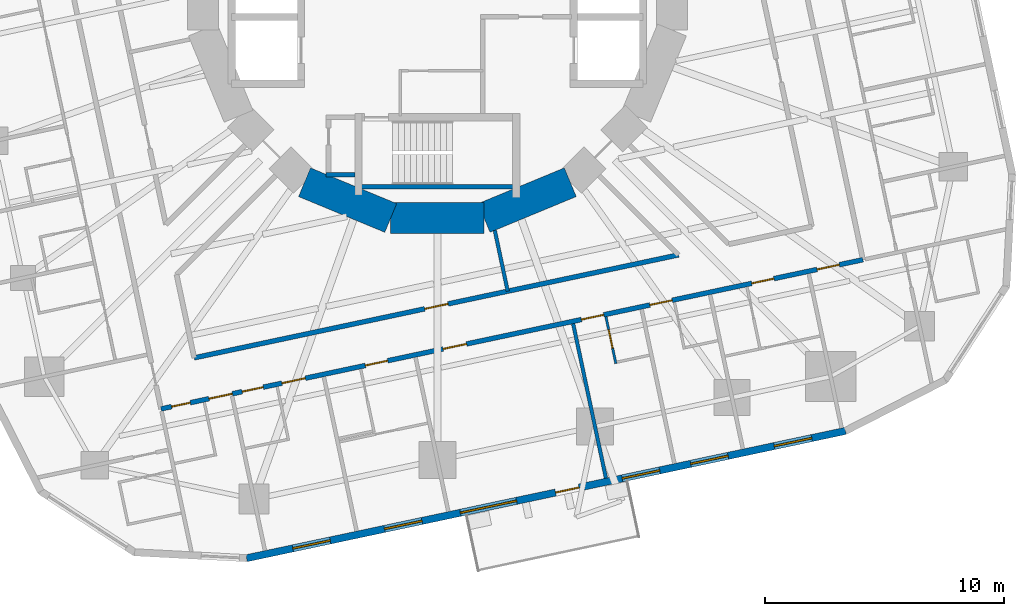
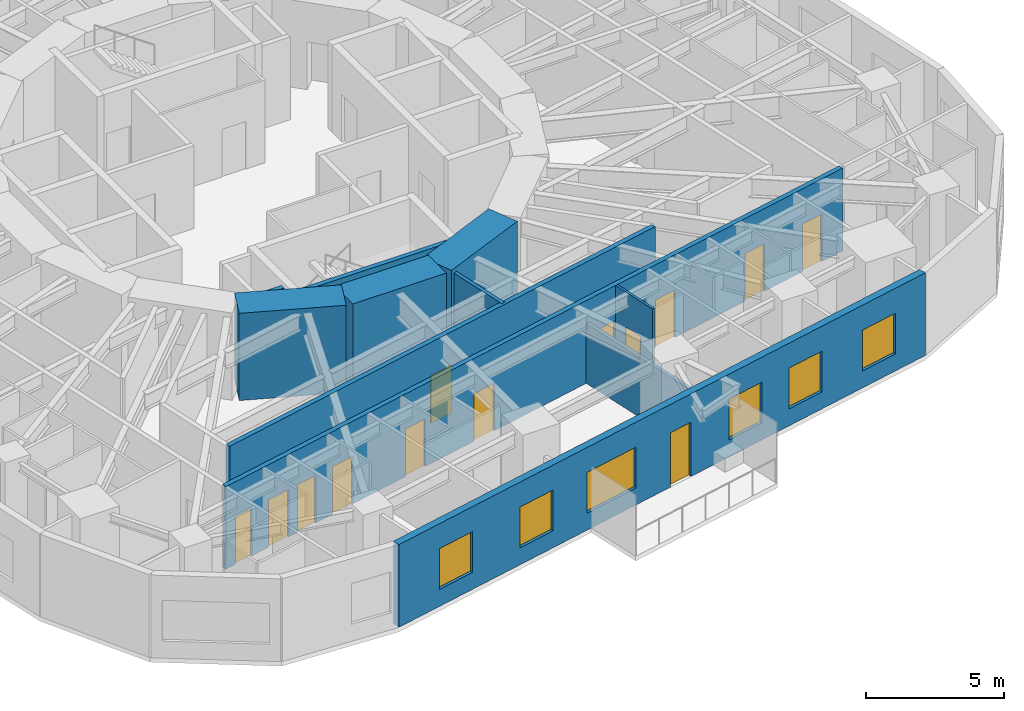
# One storey, part 5 of 14: 13 doors, 11 walls, 6 windows, 19 openings.
"""IFC4 building model written with IfcOpenShell, lengths in metres."""

from ifc_helpers import new_model, si_unit, direction, frame, frame_2d, origin, place, context, subcontext, project, spatial, rectangle, extrude, material, layer, layer_set, type_object, element, fill, save


model = new_model("IFC4")

# Units and contexts
model_context = context("Model", 3, precision=1e-05, world=origin(), true_north=direction((0.0, 1.0)))
body_context = subcontext(model_context, "Body", "Model", "MODEL_VIEW")
ifc_project = project(units=[si_unit("LENGTHUNIT", "METRE"), si_unit("AREAUNIT", "SQUARE_METRE"), si_unit("VOLUMEUNIT", "CUBIC_METRE"), si_unit("PLANEANGLEUNIT", "RADIAN"), si_unit("MASSUNIT", "GRAM", prefix="KILO")], contexts=[model_context])

# Site, building, storey
site_placement = place(None, origin())
site = spatial("IfcSite", under=ifc_project, at=site_placement, CompositionType="ELEMENT")
building_placement = place(site_placement, origin())
building = spatial("IfcBuilding", under=site, at=building_placement, Name="Nakasero Lantern House", CompositionType="ELEMENT")
storey_placement = place(building_placement, frame((0.0, 0.0, 112.699951171875)))
storey = spatial("IfcBuildingStorey", under=building, at=storey_placement, Name="L27", CompositionType="ELEMENT", Elevation=112.699951171875)

# Walls
ifc_material_1 = material(Name="Concrete C50/60", Category="concrete")
ifc_layer_1 = layer(ifc_material_1, 1.300048828125)
ifc_layer_set_1 = layer_set([ifc_layer_1], Name="Core wall 1300")
wall_type_1 = type_object("IfcWallType", Name="Core wall 1300", PredefinedType="SHEAR", material=ifc_layer_set_1)
for number, where, z_axis, x_axis, name in (
    (1, (-5.5556640625, -8.314697265625, 0.0), (0.0, 0.0, 1.0), (0.923876507187, -0.382690736062, 0.0), "Core wall L27 facet 11"),
    (2, (-1.950927734375, -9.807861328125, 0.0), (0.0, 0.0, 1.0), (1.0, 0.0, 0.0), "Core wall L27 facet 12"),
    (3, (1.950927734375, -9.807861328125, 0.0), (0.0, 0.0, 1.0), (0.923876507187, 0.382690736062, 0.0), "Core wall L27 facet 13"),
):
    element("IfcWall", number, at=place(storey_placement, frame(where, z_axis=z_axis, x_axis=x_axis)), inside=storey, type_object=wall_type_1, Name=name, PredefinedType="SHEAR", context=body_context, shape_type="SweptSolid", body=[
        extrude(rectangle(XDim=3.90185546875, YDim=1.300048828125, at=frame_2d((1.950927734375, 0.0))), origin(), (0.0, 0.0, 1.0), 3.85009765625),
    ])

# Wall, openings, doors
ifc_material_2 = material(Name="Blockwork", Category="masonry")
ifc_layer_2 = layer(ifc_material_2, 0.199951171875)
ifc_layer_set_2 = layer_set([ifc_layer_2], Name="Corridor wall 200")
wall_type_2 = type_object("IfcWallType", Name="Corridor wall 200", PredefinedType="PARTITIONING", material=ifc_layer_set_2)
wall_1_placement = place(storey_placement, frame((-11.553466796875, -17.790771484375, 0.0), z_axis=(0.0, 0.0, 1.0), x_axis=(0.978147639417, 0.207911508826, 0.0)))
wall_1 = element("IfcWall", 4, at=wall_1_placement, inside=storey, type_object=wall_type_2, Name="Corridor wall L27 CW3", PredefinedType="PARTITIONING", context=body_context, shape_type="SweptSolid", body=[
    extrude(rectangle(XDim=29.999755859375, YDim=0.199951171875, at=frame_2d((15.0, 0.0))), origin(), (0.0, 0.0, 1.0), 3.650146484375),
])
opening_1_placement = place(wall_1_placement, frame((0.449951171875, 0.0, 0.0)))
opening_1 = element("IfcOpeningElement", 5, at=opening_1_placement, cuts=wall_1, Name="Opening D15", PredefinedType="OPENING", context=body_context, shape_type="SweptSolid", body=[
    extrude(rectangle(XDim=0.800048828125, YDim=2.10009765625, at=frame_2d((0.39990234375, 1.050048828125))), frame((0.0, 0.119873046875, 0.0), z_axis=(0.0, -1.0, 0.0), x_axis=(1.0, 0.0, 0.0)), (0.0, 0.0, 1.0), 0.239990234375),
])
opening_2_placement = place(wall_1_placement, frame((2.050048828125, 0.0, 0.0)))
opening_2 = element("IfcOpeningElement", 6, at=opening_2_placement, cuts=wall_1, Name="Opening D07", PredefinedType="OPENING", context=body_context, shape_type="SweptSolid", body=[
    extrude(rectangle(XDim=1.0, YDim=2.10009765625, at=frame_2d((0.5, 1.050048828125))), frame((0.0, 0.119873046875, 0.0), z_axis=(0.0, -1.0, 0.0), x_axis=(1.0, 0.0, 0.0)), (0.0, 0.0, 1.0), 0.239990234375),
])
opening_3_placement = place(wall_1_placement, frame((3.466064453125, 0.0, 0.0)))
opening_3 = element("IfcOpeningElement", 7, at=opening_3_placement, cuts=wall_1, Name="Opening D16", PredefinedType="OPENING", context=body_context, shape_type="SweptSolid", body=[
    extrude(rectangle(XDim=0.89990234375, YDim=2.10009765625, at=frame_2d((0.449951171875, 1.050048828125))), frame((0.0, 0.119873046875, 0.0), z_axis=(0.0, -1.0, 0.0), x_axis=(1.0, 0.0, 0.0)), (0.0, 0.0, 1.0), 0.239990234375),
])
opening_4_placement = place(wall_1_placement, frame((5.166015625, 0.0, 0.0)))
opening_4 = element("IfcOpeningElement", 8, at=opening_4_placement, cuts=wall_1, Name="Opening D07", PredefinedType="OPENING", context=body_context, shape_type="SweptSolid", body=[
    extrude(rectangle(XDim=1.0, YDim=2.10009765625, at=frame_2d((0.5, 1.050048828125))), frame((0.0, 0.119873046875, 0.0), z_axis=(0.0, -1.0, 0.0), x_axis=(1.0, 0.0, 0.0)), (0.0, 0.0, 1.0), 0.239990234375),
])
opening_5_placement = place(wall_1_placement, frame((8.735595703125, 0.0, 0.0)))
opening_5 = element("IfcOpeningElement", 9, at=opening_5_placement, cuts=wall_1, Name="Opening D01", PredefinedType="OPENING", context=body_context, shape_type="SweptSolid", body=[
    extrude(rectangle(XDim=0.949951171875, YDim=2.10009765625, at=frame_2d((0.47509765625, 1.050048828125))), frame((0.0, 0.119873046875, 0.0), z_axis=(0.0, -1.0, 0.0), x_axis=(1.0, 0.0, 0.0)), (0.0, 0.0, 1.0), 0.239990234375),
])
opening_6_placement = place(wall_1_placement, frame((17.967529296875, 0.0, 0.0)))
opening_6 = element("IfcOpeningElement", 10, at=opening_6_placement, cuts=wall_1, Name="Opening D01", PredefinedType="OPENING", context=body_context, shape_type="SweptSolid", body=[
    extrude(rectangle(XDim=0.949951171875, YDim=2.10009765625, at=frame_2d((0.47509765625, 1.050048828125))), frame((0.0, 0.119873046875, 0.0), z_axis=(0.0, -1.0, 0.0), x_axis=(1.0, 0.0, 0.0)), (0.0, 0.0, 1.0), 0.239990234375),
])
opening_7_placement = place(wall_1_placement, frame((20.89404296875, 0.0, 0.0)))
opening_7 = element("IfcOpeningElement", 11, at=opening_7_placement, cuts=wall_1, Name="Opening D01", PredefinedType="OPENING", context=body_context, shape_type="SweptSolid", body=[
    extrude(rectangle(XDim=0.949951171875, YDim=2.10009765625, at=frame_2d((0.47509765625, 1.050048828125))), frame((0.0, 0.119873046875, 0.0), z_axis=(0.0, -1.0, 0.0), x_axis=(1.0, 0.0, 0.0)), (0.0, 0.0, 1.0), 0.239990234375),
])
opening_8_placement = place(wall_1_placement, frame((25.245361328125, 0.0, 0.0)))
opening_8 = element("IfcOpeningElement", 12, at=opening_8_placement, cuts=wall_1, Name="Opening D01", PredefinedType="OPENING", context=body_context, shape_type="SweptSolid", body=[
    extrude(rectangle(XDim=0.949951171875, YDim=2.10009765625, at=frame_2d((0.47509765625, 1.050048828125))), frame((0.0, 0.119873046875, 0.0), z_axis=(0.0, -1.0, 0.0), x_axis=(1.0, 0.0, 0.0)), (0.0, 0.0, 1.0), 0.239990234375),
])
opening_9_placement = place(wall_1_placement, frame((28.038330078125, 0.0, 0.0)))
opening_9 = element("IfcOpeningElement", 13, at=opening_9_placement, cuts=wall_1, Name="Opening D01", PredefinedType="OPENING", context=body_context, shape_type="SweptSolid", body=[
    extrude(rectangle(XDim=0.949951171875, YDim=2.10009765625, at=frame_2d((0.47509765625, 1.050048828125))), frame((0.0, 0.119873046875, 0.0), z_axis=(0.0, -1.0, 0.0), x_axis=(1.0, 0.0, 0.0)), (0.0, 0.0, 1.0), 0.239990234375),
])
opening_10_placement = place(wall_1_placement, frame((12.05517578125, 0.0, 0.0)))
opening_10 = element("IfcOpeningElement", 14, at=opening_10_placement, cuts=wall_1, Name="Opening D03", PredefinedType="OPENING", context=body_context, shape_type="SweptSolid", body=[
    extrude(rectangle(XDim=1.0, YDim=2.10009765625, at=frame_2d((0.5, 1.050048828125))), frame((0.0, 0.119873046875, 0.0), z_axis=(0.0, -1.0, 0.0), x_axis=(1.0, 0.0, 0.0)), (0.0, 0.0, 1.0), 0.239990234375),
])
ifc_material_3 = material(Name="Timber C24", Category="wood")
door_type_1 = type_object("IfcDoorType", Name="Accessible WC door 900", OperationType="SINGLE_SWING_RIGHT", PredefinedType="DOOR", material=ifc_material_3)
door_1_placement = place(opening_3_placement, origin())
door_1 = element("IfcDoor", 15, at=door_1_placement, inside=storey, type_object=door_type_1, Name="Door L27 DS3-01", OperationType="SINGLE_SWING_LEFT", OverallHeight=2.10009765625, OverallWidth=0.89990234375, PredefinedType="DOOR", context=body_context, shape_type="SweptSolid", body=[
    extrude(rectangle(XDim=0.89990234375, YDim=2.10009765625, at=frame_2d((0.449951171875, 1.050048828125))), frame((0.0, 0.02490234375, 0.0), z_axis=(0.0, -1.0, 0.0), x_axis=(1.0, 0.0, 0.0)), (0.0, 0.0, 1.0), 0.050048828125),
])
fill(opening_3, door_1)
ifc_material_4 = material(Name="Timber C24", Category="wood")
door_type_2 = type_object("IfcDoorType", Name="Bedroom door FD30S 950", OperationType="SINGLE_SWING_LEFT", PredefinedType="DOOR", material=ifc_material_4)
door_2_placement = place(opening_5_placement, origin())
door_2 = element("IfcDoor", 16, at=door_2_placement, inside=storey, type_object=door_type_2, Name="Door L27 D3-02", OperationType="SINGLE_SWING_LEFT", OverallHeight=2.10009765625, OverallWidth=0.949951171875, PredefinedType="DOOR", context=body_context, shape_type="SweptSolid", body=[
    extrude(rectangle(XDim=0.949951171875, YDim=2.10009765625, at=frame_2d((0.47509765625, 1.050048828125))), frame((0.0, 0.02490234375, 0.0), z_axis=(0.0, -1.0, 0.0), x_axis=(1.0, 0.0, 0.0)), (0.0, 0.0, 1.0), 0.050048828125),
])
fill(opening_5, door_2)
door_3_placement = place(opening_6_placement, origin())
door_3 = element("IfcDoor", 17, at=door_3_placement, inside=storey, type_object=door_type_2, Name="Door L27 D3-05", OperationType="SINGLE_SWING_RIGHT", OverallHeight=2.10009765625, OverallWidth=0.949951171875, PredefinedType="DOOR", context=body_context, shape_type="SweptSolid", body=[
    extrude(rectangle(XDim=0.949951171875, YDim=2.10009765625, at=frame_2d((0.47509765625, 1.050048828125))), frame((0.0, 0.02490234375, 0.0), z_axis=(0.0, -1.0, 0.0), x_axis=(1.0, 0.0, 0.0)), (0.0, 0.0, 1.0), 0.050048828125),
])
fill(opening_6, door_3)
door_4_placement = place(opening_7_placement, origin())
door_4 = element("IfcDoor", 18, at=door_4_placement, inside=storey, type_object=door_type_2, Name="Door L27 D3-06", OperationType="SINGLE_SWING_RIGHT", OverallHeight=2.10009765625, OverallWidth=0.949951171875, PredefinedType="DOOR", context=body_context, shape_type="SweptSolid", body=[
    extrude(rectangle(XDim=0.949951171875, YDim=2.10009765625, at=frame_2d((0.47509765625, 1.050048828125))), frame((0.0, 0.02490234375, 0.0), z_axis=(0.0, -1.0, 0.0), x_axis=(1.0, 0.0, 0.0)), (0.0, 0.0, 1.0), 0.050048828125),
])
fill(opening_7, door_4)
door_5_placement = place(opening_8_placement, origin())
door_5 = element("IfcDoor", 19, at=door_5_placement, inside=storey, type_object=door_type_2, Name="Door L27 D3-07", OperationType="SINGLE_SWING_RIGHT", OverallHeight=2.10009765625, OverallWidth=0.949951171875, PredefinedType="DOOR", context=body_context, shape_type="SweptSolid", body=[
    extrude(rectangle(XDim=0.949951171875, YDim=2.10009765625, at=frame_2d((0.47509765625, 1.050048828125))), frame((0.0, 0.02490234375, 0.0), z_axis=(0.0, -1.0, 0.0), x_axis=(1.0, 0.0, 0.0)), (0.0, 0.0, 1.0), 0.050048828125),
])
fill(opening_8, door_5)
door_6_placement = place(opening_9_placement, origin())
door_6 = element("IfcDoor", 20, at=door_6_placement, inside=storey, type_object=door_type_2, Name="Door L27 D3-08", OperationType="SINGLE_SWING_RIGHT", OverallHeight=2.10009765625, OverallWidth=0.949951171875, PredefinedType="DOOR", context=body_context, shape_type="SweptSolid", body=[
    extrude(rectangle(XDim=0.949951171875, YDim=2.10009765625, at=frame_2d((0.47509765625, 1.050048828125))), frame((0.0, 0.02490234375, 0.0), z_axis=(0.0, -1.0, 0.0), x_axis=(1.0, 0.0, 0.0)), (0.0, 0.0, 1.0), 0.050048828125),
])
fill(opening_9, door_6)
ifc_material_5 = material(Name="Timber C24", Category="wood")
door_type_3 = type_object("IfcDoorType", Name="Cleaner's store door FD30S 800", OperationType="SINGLE_SWING_LEFT", PredefinedType="DOOR", material=ifc_material_5)
door_7_placement = place(opening_1_placement, origin())
door_7 = element("IfcDoor", 21, at=door_7_placement, inside=storey, type_object=door_type_3, Name="Door L27 DS3-00", OperationType="SINGLE_SWING_LEFT", OverallHeight=2.10009765625, OverallWidth=0.800048828125, PredefinedType="DOOR", context=body_context, shape_type="SweptSolid", body=[
    extrude(rectangle(XDim=0.800048828125, YDim=2.10009765625, at=frame_2d((0.39990234375, 1.050048828125))), frame((0.0, 0.02490234375, 0.0), z_axis=(0.0, -1.0, 0.0), x_axis=(1.0, 0.0, 0.0)), (0.0, 0.0, 1.0), 0.050048828125),
])
fill(opening_1, door_7)
ifc_material_6 = material(Name="Timber C24", Category="wood")
door_type_4 = type_object("IfcDoorType", Name="Lounge door FD30S 1000", OperationType="SINGLE_SWING_LEFT", PredefinedType="DOOR", material=ifc_material_6)
door_8_placement = place(opening_10_placement, origin())
door_8 = element("IfcDoor", 22, at=door_8_placement, inside=storey, type_object=door_type_4, Name="Door L27 DK3", OperationType="SINGLE_SWING_LEFT", OverallHeight=2.10009765625, OverallWidth=1.0, PredefinedType="DOOR", context=body_context, shape_type="SweptSolid", body=[
    extrude(rectangle(XDim=1.0, YDim=2.10009765625, at=frame_2d((0.5, 1.050048828125))), frame((0.0, 0.02490234375, 0.0), z_axis=(0.0, -1.0, 0.0), x_axis=(1.0, 0.0, 0.0)), (0.0, 0.0, 1.0), 0.050048828125),
])
fill(opening_10, door_8)
ifc_material_7 = material(Name="Timber C24", Category="wood")
door_type_5 = type_object("IfcDoorType", Name="Room door FD30S 1000", OperationType="SINGLE_SWING_LEFT", PredefinedType="DOOR", material=ifc_material_7)
door_9_placement = place(opening_2_placement, origin())
door_9 = element("IfcDoor", 23, at=door_9_placement, inside=storey, type_object=door_type_5, Name="Door L27 D3-00", OperationType="SINGLE_SWING_LEFT", OverallHeight=2.10009765625, OverallWidth=1.0, PredefinedType="DOOR", context=body_context, shape_type="SweptSolid", body=[
    extrude(rectangle(XDim=1.0, YDim=2.10009765625, at=frame_2d((0.5, 1.050048828125))), frame((0.0, 0.02490234375, 0.0), z_axis=(0.0, -1.0, 0.0), x_axis=(1.0, 0.0, 0.0)), (0.0, 0.0, 1.0), 0.050048828125),
])
fill(opening_2, door_9)
door_10_placement = place(opening_4_placement, origin())
door_10 = element("IfcDoor", 24, at=door_10_placement, inside=storey, type_object=door_type_5, Name="Door L27 D3-01", OperationType="SINGLE_SWING_LEFT", OverallHeight=2.10009765625, OverallWidth=1.0, PredefinedType="DOOR", context=body_context, shape_type="SweptSolid", body=[
    extrude(rectangle(XDim=1.0, YDim=2.10009765625, at=frame_2d((0.5, 1.050048828125))), frame((0.0, 0.02490234375, 0.0), z_axis=(0.0, -1.0, 0.0), x_axis=(1.0, 0.0, 0.0)), (0.0, 0.0, 1.0), 0.050048828125),
])
fill(opening_4, door_10)

# Wall, opening, door
wall_2_placement = place(storey_placement, frame((-10.1669921875, -15.656005859375, 0.0), z_axis=(0.0, 0.0, 1.0), x_axis=(0.978145959178, 0.207919413582, 0.0)))
wall_2 = element("IfcWall", 25, at=wall_2_placement, inside=storey, type_object=wall_type_2, Name="Corridor wall L27 IW3-0", PredefinedType="PARTITIONING", context=body_context, shape_type="SweptSolid", body=[
    extrude(rectangle(XDim=20.698974609375, YDim=0.199951171875, at=frame_2d((10.349609375, 0.0))), origin(), (0.0, 0.0, 1.0), 3.650146484375),
])
opening_11_placement = place(wall_2_placement, frame((9.849609375, 0.0, 0.0)))
opening_11 = element("IfcOpeningElement", 26, at=opening_11_placement, cuts=wall_2, Name="Opening D07", PredefinedType="OPENING", context=body_context, shape_type="SweptSolid", body=[
    extrude(rectangle(XDim=1.0, YDim=2.10009765625, at=frame_2d((0.5, 1.050048828125))), frame((0.0, 0.119873046875, 0.0), z_axis=(0.0, -1.0, 0.0), x_axis=(1.0, 0.0, 0.0)), (0.0, 0.0, 1.0), 0.239990234375),
])
door_11_placement = place(opening_11_placement, origin())
door_11 = element("IfcDoor", 27, at=door_11_placement, inside=storey, type_object=door_type_5, Name="Door L27 DI2", OperationType="SINGLE_SWING_RIGHT", OverallHeight=2.10009765625, OverallWidth=1.0, PredefinedType="DOOR", context=body_context, shape_type="SweptSolid", body=[
    extrude(rectangle(XDim=1.0, YDim=2.10009765625, at=frame_2d((0.5, 1.050048828125))), frame((0.0, 0.02490234375, 0.0), z_axis=(0.0, -1.0, 0.0), x_axis=(1.0, 0.0, 0.0)), (0.0, 0.0, 1.0), 0.050048828125),
])
fill(opening_11, door_11)

ifc_material_8 = material(Name="Blockwork", Category="masonry")
ifc_layer_3 = layer(ifc_material_8, 0.10009765625)
ifc_layer_set_3 = layer_set([ifc_layer_3], Name="En-suite wall 100")
wall_type_3 = type_object("IfcWallType", Name="En-suite wall 100", PredefinedType="PARTITIONING", material=ifc_layer_set_3)
wall_3_placement = place(storey_placement, frame((7.046142578125, -13.939697265625, 0.0), z_axis=(0.0, 0.0, 1.0), x_axis=(0.207886494942, -0.978152955943, 0.0)))
wall_3 = element("IfcWall", 28, at=wall_3_placement, inside=storey, type_object=wall_type_3, Name="En-suite wall L27 ES3-05", PredefinedType="PARTITIONING", context=body_context, shape_type="SweptSolid", body=[
    extrude(rectangle(XDim=2.0, YDim=0.10009765625, at=frame_2d((1.0, 0.0))), origin(), (0.0, 0.0, 1.0), 3.650146484375),
])
opening_12_placement = place(wall_3_placement, frame((0.550048828125, 0.0, 0.0)))
opening_12 = element("IfcOpeningElement", 29, at=opening_12_placement, cuts=wall_3, Name="Opening D02", PredefinedType="OPENING", context=body_context, shape_type="SweptSolid", body=[
    extrude(rectangle(XDim=0.800048828125, YDim=2.10009765625, at=frame_2d((0.39990234375, 1.050048828125))), frame((0.0, 0.070068359375, 0.0), z_axis=(0.0, -1.0, 0.0), x_axis=(1.0, 0.0, 0.0)), (0.0, 0.0, 1.0), 0.14013671875),
])
ifc_material_9 = material(Name="Timber C24", Category="wood")
door_type_6 = type_object("IfcDoorType", Name="En-suite door 800", OperationType="SINGLE_SWING_RIGHT", PredefinedType="DOOR", material=ifc_material_9)
door_12_placement = place(opening_12_placement, origin())
door_12 = element("IfcDoor", 30, at=door_12_placement, inside=storey, type_object=door_type_6, Name="Door L27 DE3-05", OperationType="SINGLE_SWING_LEFT", OverallHeight=2.10009765625, OverallWidth=0.800048828125, PredefinedType="DOOR", context=body_context, shape_type="SweptSolid", body=[
    extrude(rectangle(XDim=0.800048828125, YDim=2.10009765625, at=frame_2d((0.39990234375, 1.050048828125))), frame((0.0, 0.02490234375, 0.0), z_axis=(0.0, -1.0, 0.0), x_axis=(1.0, 0.0, 0.0)), (0.0, 0.0, 1.0), 0.050048828125),
])
fill(opening_12, door_12)

# Wall, openings, door, windows
ifc_material_10 = material(Name="Aluminium rainscreen on blockwork", Category="masonry")
ifc_layer_4 = layer(ifc_material_10, 0.300048828125)
ifc_layer_set_4 = layer_set([ifc_layer_4], Name="Facade wall 300")
wall_type_4 = type_object("IfcWallType", Name="Facade wall 300", PredefinedType="SOLIDWALL", material=ifc_layer_set_4)
wall_4_placement = place(storey_placement, frame((-7.9775390625, -24.03369140625, 0.0), z_axis=(0.0, 0.0, 1.0), x_axis=(0.978148160964, 0.207909055127, 0.0)))
wall_4 = element("IfcWall", 31, at=wall_4_placement, inside=storey, type_object=wall_type_4, Name="Facade wall L27 FW3S", PredefinedType="SOLIDWALL", context=body_context, shape_type="SweptSolid", body=[
    extrude(rectangle(XDim=25.60009765625, YDim=0.300048828125, at=frame_2d((12.800048828125, 0.0))), origin(), (0.0, 0.0, 1.0), 3.650146484375),
])
opening_13_placement = place(wall_4_placement, frame((1.975830078125, 0.0, 0.75)))
opening_13 = element("IfcOpeningElement", 32, at=opening_13_placement, cuts=wall_4, Name="Opening W01", PredefinedType="OPENING", context=body_context, shape_type="SweptSolid", body=[
    extrude(rectangle(XDim=1.60009765625, YDim=1.800048828125, at=frame_2d((0.800048828125, 0.89990234375))), frame((0.0, 0.169921875, 0.0), z_axis=(0.0, -1.0, 0.0), x_axis=(1.0, 0.0, 0.0)), (0.0, 0.0, 1.0), 0.340087890625),
])
opening_14_placement = place(wall_4_placement, frame((5.8955078125, 0.0, 0.75)))
opening_14 = element("IfcOpeningElement", 33, at=opening_14_placement, cuts=wall_4, Name="Opening W01", PredefinedType="OPENING", context=body_context, shape_type="SweptSolid", body=[
    extrude(rectangle(XDim=1.60009765625, YDim=1.800048828125, at=frame_2d((0.800048828125, 0.89990234375))), frame((0.0, 0.169921875, 0.0), z_axis=(0.0, -1.0, 0.0), x_axis=(1.0, 0.0, 0.0)), (0.0, 0.0, 1.0), 0.340087890625),
])
opening_15_placement = place(wall_4_placement, frame((16.0556640625, 0.0, 0.75)))
opening_15 = element("IfcOpeningElement", 34, at=opening_15_placement, cuts=wall_4, Name="Opening W01", PredefinedType="OPENING", context=body_context, shape_type="SweptSolid", body=[
    extrude(rectangle(XDim=1.60009765625, YDim=1.800048828125, at=frame_2d((0.800048828125, 0.89990234375))), frame((0.0, 0.169921875, 0.0), z_axis=(0.0, -1.0, 0.0), x_axis=(1.0, 0.0, 0.0)), (0.0, 0.0, 1.0), 0.340087890625),
])
opening_16_placement = place(wall_4_placement, frame((18.982177734375, 0.0, 0.75)))
opening_16 = element("IfcOpeningElement", 35, at=opening_16_placement, cuts=wall_4, Name="Opening W01", PredefinedType="OPENING", context=body_context, shape_type="SweptSolid", body=[
    extrude(rectangle(XDim=1.60009765625, YDim=1.800048828125, at=frame_2d((0.800048828125, 0.89990234375))), frame((0.0, 0.169921875, 0.0), z_axis=(0.0, -1.0, 0.0), x_axis=(1.0, 0.0, 0.0)), (0.0, 0.0, 1.0), 0.340087890625),
])
opening_17_placement = place(wall_4_placement, frame((22.554443359375, 0.0, 0.75)))
opening_17 = element("IfcOpeningElement", 36, at=opening_17_placement, cuts=wall_4, Name="Opening W01", PredefinedType="OPENING", context=body_context, shape_type="SweptSolid", body=[
    extrude(rectangle(XDim=1.60009765625, YDim=1.800048828125, at=frame_2d((0.800048828125, 0.89990234375))), frame((0.0, 0.169921875, 0.0), z_axis=(0.0, -1.0, 0.0), x_axis=(1.0, 0.0, 0.0)), (0.0, 0.0, 1.0), 0.340087890625),
])
opening_18_placement = place(wall_4_placement, frame((9.139404296875, 0.0, 0.75)))
opening_18 = element("IfcOpeningElement", 37, at=opening_18_placement, cuts=wall_4, Name="Opening W03", PredefinedType="OPENING", context=body_context, shape_type="SweptSolid", body=[
    extrude(rectangle(XDim=2.39990234375, YDim=1.800048828125, at=frame_2d((1.199951171875, 0.89990234375))), frame((0.0, 0.169921875, 0.0), z_axis=(0.0, -1.0, 0.0), x_axis=(1.0, 0.0, 0.0)), (0.0, 0.0, 1.0), 0.340087890625),
])
opening_19_placement = place(wall_4_placement, frame((13.208251953125, 0.0, 0.0)))
opening_19 = element("IfcOpeningElement", 38, at=opening_19_placement, cuts=wall_4, Name="Opening D04", PredefinedType="OPENING", context=body_context, shape_type="SweptSolid", body=[
    extrude(rectangle(XDim=1.0, YDim=2.39990234375, at=frame_2d((0.5, 1.199951171875))), frame((0.0, 0.169921875, 0.0), z_axis=(0.0, -1.0, 0.0), x_axis=(1.0, 0.0, 0.0)), (0.0, 0.0, 1.0), 0.340087890625),
])
ifc_material_11 = material(Name="Aluminium 6063-T6 and glass", Category="aluminium")
door_type_7 = type_object("IfcDoorType", Name="Balcony door 1000x2400", OperationType="SINGLE_SWING_RIGHT", PredefinedType="DOOR", material=ifc_material_11)
door_13_placement = place(opening_19_placement, origin())
door_13 = element("IfcDoor", 39, at=door_13_placement, inside=storey, type_object=door_type_7, Name="Balcony door L27 DB3", OperationType="SINGLE_SWING_RIGHT", OverallHeight=2.39990234375, OverallWidth=1.0, PredefinedType="DOOR", context=body_context, shape_type="SweptSolid", body=[
    extrude(rectangle(XDim=1.0, YDim=2.39990234375, at=frame_2d((0.5, 1.199951171875))), frame((0.0, 0.02490234375, 0.0), z_axis=(0.0, -1.0, 0.0), x_axis=(1.0, 0.0, 0.0)), (0.0, 0.0, 1.0), 0.050048828125),
])
fill(opening_19, door_13)
ifc_material_12 = material(Name="Aluminium 6063-T6 and glass", Category="aluminium")
window_type_1 = type_object("IfcWindowType", Name="Bedroom window 1600x1800", PartitioningType="SINGLE_PANEL", PredefinedType="WINDOW", material=ifc_material_12)
window_1_placement = place(opening_13_placement, origin())
window_1 = element("IfcWindow", 40, at=window_1_placement, inside=storey, type_object=window_type_1, Name="Window L27 WN3-01", OverallHeight=1.800048828125, OverallWidth=1.60009765625, PartitioningType="SINGLE_PANEL", PredefinedType="WINDOW", context=body_context, shape_type="SweptSolid", body=[
    extrude(rectangle(XDim=1.60009765625, YDim=1.800048828125, at=frame_2d((0.800048828125, 0.89990234375))), frame((0.0, 0.030029296875, 0.0), z_axis=(0.0, -1.0, 0.0), x_axis=(1.0, 0.0, 0.0)), (0.0, 0.0, 1.0), 0.06005859375),
])
fill(opening_13, window_1)
window_2_placement = place(opening_14_placement, origin())
window_2 = element("IfcWindow", 41, at=window_2_placement, inside=storey, type_object=window_type_1, Name="Window L27 WN3-02", OverallHeight=1.800048828125, OverallWidth=1.60009765625, PartitioningType="SINGLE_PANEL", PredefinedType="WINDOW", context=body_context, shape_type="SweptSolid", body=[
    extrude(rectangle(XDim=1.60009765625, YDim=1.800048828125, at=frame_2d((0.800048828125, 0.89990234375))), frame((0.0, 0.030029296875, 0.0), z_axis=(0.0, -1.0, 0.0), x_axis=(1.0, 0.0, 0.0)), (0.0, 0.0, 1.0), 0.06005859375),
])
fill(opening_14, window_2)
window_3_placement = place(opening_15_placement, origin())
window_3 = element("IfcWindow", 42, at=window_3_placement, inside=storey, type_object=window_type_1, Name="Window L27 WN3-05", OverallHeight=1.800048828125, OverallWidth=1.60009765625, PartitioningType="SINGLE_PANEL", PredefinedType="WINDOW", context=body_context, shape_type="SweptSolid", body=[
    extrude(rectangle(XDim=1.60009765625, YDim=1.800048828125, at=frame_2d((0.800048828125, 0.89990234375))), frame((0.0, 0.030029296875, 0.0), z_axis=(0.0, -1.0, 0.0), x_axis=(1.0, 0.0, 0.0)), (0.0, 0.0, 1.0), 0.06005859375),
])
fill(opening_15, window_3)
window_4_placement = place(opening_16_placement, origin())
window_4 = element("IfcWindow", 43, at=window_4_placement, inside=storey, type_object=window_type_1, Name="Window L27 WN3-06", OverallHeight=1.800048828125, OverallWidth=1.60009765625, PartitioningType="SINGLE_PANEL", PredefinedType="WINDOW", context=body_context, shape_type="SweptSolid", body=[
    extrude(rectangle(XDim=1.60009765625, YDim=1.800048828125, at=frame_2d((0.800048828125, 0.89990234375))), frame((0.0, 0.030029296875, 0.0), z_axis=(0.0, -1.0, 0.0), x_axis=(1.0, 0.0, 0.0)), (0.0, 0.0, 1.0), 0.06005859375),
])
fill(opening_16, window_4)
window_5_placement = place(opening_17_placement, origin())
window_5 = element("IfcWindow", 44, at=window_5_placement, inside=storey, type_object=window_type_1, Name="Window L27 WN3-07", OverallHeight=1.800048828125, OverallWidth=1.60009765625, PartitioningType="SINGLE_PANEL", PredefinedType="WINDOW", context=body_context, shape_type="SweptSolid", body=[
    extrude(rectangle(XDim=1.60009765625, YDim=1.800048828125, at=frame_2d((0.800048828125, 0.89990234375))), frame((0.0, 0.030029296875, 0.0), z_axis=(0.0, -1.0, 0.0), x_axis=(1.0, 0.0, 0.0)), (0.0, 0.0, 1.0), 0.06005859375),
])
fill(opening_17, window_5)
ifc_material_13 = material(Name="Aluminium 6063-T6 and glass", Category="aluminium")
window_type_2 = type_object("IfcWindowType", Name="Lounge window 2400x1800", PartitioningType="SINGLE_PANEL", PredefinedType="WINDOW", material=ifc_material_13)
window_6_placement = place(opening_18_placement, origin())
window_6 = element("IfcWindow", 45, at=window_6_placement, inside=storey, type_object=window_type_2, Name="Window L27 WK3", OverallHeight=1.800048828125, OverallWidth=2.39990234375, PartitioningType="SINGLE_PANEL", PredefinedType="WINDOW", context=body_context, shape_type="SweptSolid", body=[
    extrude(rectangle(XDim=2.39990234375, YDim=1.800048828125, at=frame_2d((1.199951171875, 0.89990234375))), frame((0.0, 0.030029296875, 0.0), z_axis=(0.0, -1.0, 0.0), x_axis=(1.0, 0.0, 0.0)), (0.0, 0.0, 1.0), 0.06005859375),
])
fill(opening_18, window_6)

# Walls
ifc_material_14 = material(Name="Blockwork", Category="masonry")
ifc_layer_5 = layer(ifc_material_14, 0.199951171875)
ifc_layer_set_5 = layer_set([ifc_layer_5], Name="Fire lobby wall 200")
wall_type_5 = type_object("IfcWallType", Name="Fire lobby wall 200", PredefinedType="PARTITIONING", material=ifc_layer_set_5)
wall_5_placement = place(storey_placement, frame((-3.449951171875, -8.0, 0.0), z_axis=(0.0, 0.0, 1.0), x_axis=(-1.0, 0.0, 0.0)))
element("IfcWall", 46, at=wall_5_placement, inside=storey, type_object=wall_type_5, Name="Fire lobby wall L27 W-RS2S", PredefinedType="PARTITIONING", context=body_context, shape_type="SweptSolid", body=[
    extrude(rectangle(XDim=1.199951171875, YDim=0.199951171875, at=frame_2d((0.60009765625, 0.0))), origin(), (0.0, 0.0, 1.0), 3.650146484375),
])
wall_6_placement = place(storey_placement, frame((-3.300048828125, -8.5, 0.0), z_axis=(0.0, 0.0, 1.0), x_axis=(1.0, 0.0, 0.0)))
element("IfcWall", 47, at=wall_6_placement, inside=storey, type_object=wall_type_5, Name="Fire lobby wall L27 W-STS", PredefinedType="PARTITIONING", context=body_context, shape_type="SweptSolid", body=[
    extrude(rectangle(XDim=6.60009765625, YDim=0.199951171875, at=frame_2d((3.300048828125, 0.0))), origin(), (0.0, 0.0, 1.0), 3.650146484375),
])
ifc_material_15 = material(Name="Blockwork", Category="masonry")
ifc_layer_6 = layer(ifc_material_15, 0.14990234375)
ifc_layer_set_6 = layer_set([ifc_layer_6], Name="Party wall 150")
wall_type_6 = type_object("IfcWallType", Name="Party wall 150", PredefinedType="PARTITIONING", material=ifc_layer_set_6)
wall_7_placement = place(storey_placement, frame((5.67529296875, -14.23095703125, 0.0), z_axis=(0.0, 0.0, 1.0), x_axis=(0.207924673876, -0.978144841009, 0.0)))
element("IfcWall", 48, at=wall_7_placement, inside=storey, type_object=wall_type_6, Name="Party wall L27 PW3-05", PredefinedType="PARTITIONING", context=body_context, shape_type="SweptSolid", body=[
    extrude(rectangle(XDim=6.60009765625, YDim=0.14990234375, at=frame_2d((3.300048828125, 0.0))), origin(), (0.0, 0.0, 1.0), 2.641845703125),
])
wall_8_placement = place(storey_placement, frame((2.940185546875, -12.869873046875, 0.0), z_axis=(0.0, 0.0, 1.0), x_axis=(-0.207996830597, 0.978129499842, 0.0)))
element("IfcWall", 49, at=wall_8_placement, inside=storey, type_object=wall_type_6, Name="Party wall L27 IM3", PredefinedType="PARTITIONING", context=body_context, shape_type="SweptSolid", body=[
    extrude(rectangle(XDim=2.60107421875, YDim=0.14990234375, at=frame_2d((1.300537109375, 0.0))), origin(), (0.0, 0.0, 1.0), 3.650146484375),
])

save(model, "model.ifc")
